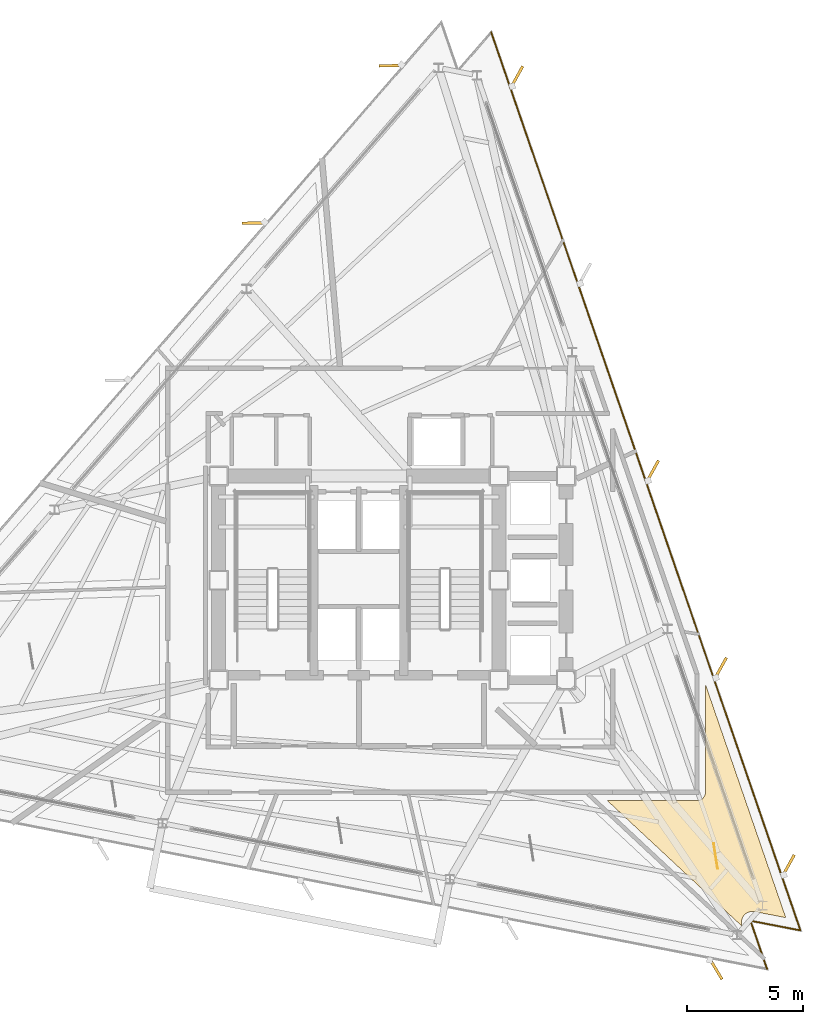
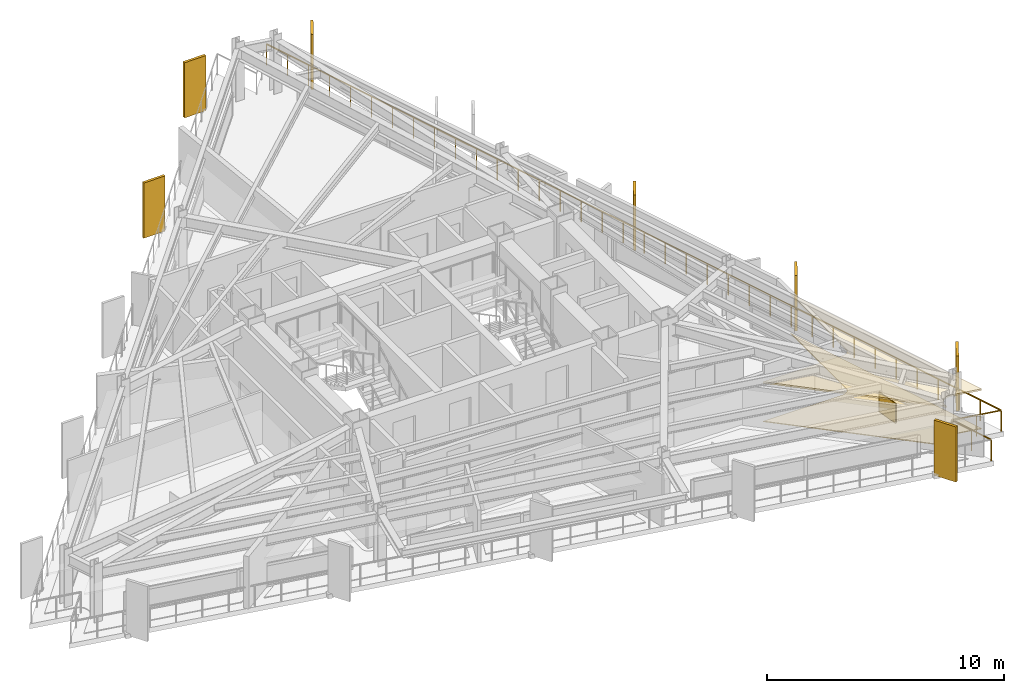
# One storey, part 14 of 14: 7 shading devices, 3 coverings, 1 railing.
"""IFC4 building model written with IfcOpenShell, lengths in metres."""

from ifc_helpers import new_model, si_unit, direction, frame, origin, origin_2d, place, context, subcontext, project, spatial, polyline, rectangle, outline, extrude, material, layer, layer_set, type_object, element, save


model = new_model("IFC4")

# Units and contexts
model_context = context("Model", 3, precision=1e-05, world=origin(), true_north=direction((0.0, 1.0)))
body_context = subcontext(model_context, "Body", "Model", "MODEL_VIEW")
ifc_project = project(units=[si_unit("LENGTHUNIT", "METRE"), si_unit("AREAUNIT", "SQUARE_METRE"), si_unit("VOLUMEUNIT", "CUBIC_METRE"), si_unit("PLANEANGLEUNIT", "RADIAN"), si_unit("MASSUNIT", "GRAM", prefix="KILO")], contexts=[model_context])

# Site, building, storey
site_placement = place(None, origin())
site = spatial("IfcSite", under=ifc_project, at=site_placement, CompositionType="ELEMENT")
building_placement = place(site_placement, origin())
building = spatial("IfcBuilding", under=site, at=building_placement, Name="Rocaltana Carrier Exchange", CompositionType="ELEMENT")
storey_placement = place(building_placement, frame((0.0, 0.0, 168.47998046875)))
storey = spatial("IfcBuildingStorey", under=building, at=storey_placement, Name="L53", CompositionType="ELEMENT", Elevation=168.47998046875)

# Coverings
ifc_material_1 = material(Name="Honed Bogota Sandstone Tile", Category="masonry")
ifc_layer_1 = layer(ifc_material_1, 0.0400390625)
ifc_layer_set_1 = layer_set([ifc_layer_1], Name="Honed Bogota Sandstone Tile")
covering_type_1 = type_object("IfcCoveringType", Name="Honed Stone Lobby Flooring 40", PredefinedType="FLOORING", material=ifc_layer_set_1)
covering_1_placement = place(storey_placement, origin())
element("IfcCovering", 1, at=covering_1_placement, inside=storey, type_object=covering_type_1, Name="L53 Carrier Peering Suite Finish Floor", PredefinedType="FLOORING", context=body_context, shape_type="SweptSolid", body=[
    extrude(outline(polyline([(14.9599609375, -4.48876953125), (18.4287109375, -14.562255859375), (17.085205078125, -14.301025390625), (17.0712890625, -14.298828125), (17.051513671875, -14.2958984375), (17.023681640625, -14.29345703125), (17.00390625, -14.29248046875), (16.975830078125, -14.292724609375), (16.9560546875, -14.2939453125), (16.92822265625, -14.296875), (16.90869140625, -14.300048828125), (16.88134765625, -14.305908203125), (16.862060546875, -14.310791015625), (16.83544921875, -14.319091796875), (16.816650390625, -14.326171875), (16.791015625, -14.337158203125), (16.773193359375, -14.345947265625), (16.748779296875, -14.359619140625), (16.731689453125, -14.3701171875), (16.708984375, -14.385986328125), (16.693115234375, -14.398193359375), (16.671875, -14.416259765625), (16.6572265625, -14.429931640625), (16.637939453125, -14.449951171875), (16.625, -14.465087890625), (16.607666015625, -14.487060546875), (16.59619140625, -14.50341796875), (16.581298828125, -14.52685546875), (16.5712890625, -14.544189453125), (16.558837890625, -14.569091796875), (16.55078125, -14.58740234375), (16.540771484375, -14.613525390625), (16.534423828125, -14.63232421875), (16.527099609375, -14.6591796875), (16.522705078125, -14.6787109375), (16.518310546875, -14.706298828125), (16.515869140625, -14.72607421875), (16.513916015625, -14.75390625), (16.513671875, -14.77392578125), (16.5146484375, -14.8017578125), (16.51611328125, -14.82177734375), (16.52001953125, -14.849365234375), (16.5234375, -14.868896484375), (16.52978515625, -14.89599609375), (16.535400390625, -14.915283203125), (16.539794921875, -14.9287109375), (16.541015625, -14.9326171875), (10.72607421875, -9.510009765625), (14.60009765625, -9.510009765625), (14.61376953125, -9.509765625), (14.62158203125, -9.50927734375), (14.64892578125, -9.506591796875), (14.65673828125, -9.50537109375), (14.68359375, -9.5), (14.69140625, -9.498291015625), (14.717529296875, -9.490234375), (14.724853515625, -9.487548828125), (14.750244140625, -9.47705078125), (14.75732421875, -9.4736328125), (14.78173828125, -9.460693359375), (14.788330078125, -9.456787109375), (14.811279296875, -9.44140625), (14.8173828125, -9.436767578125), (14.8388671875, -9.419189453125), (14.844482421875, -9.4140625), (14.864013671875, -9.39453125), (14.869384765625, -9.388916015625), (14.88671875, -9.367431640625), (14.891357421875, -9.361083984375), (14.90673828125, -9.33837890625), (14.91064453125, -9.331787109375), (14.923583984375, -9.307373046875), (14.927001953125, -9.30029296875), (14.9375, -9.27490234375), (14.940185546875, -9.267578125), (14.9482421875, -9.2412109375), (14.9501953125, -9.233642578125), (14.955322265625, -9.206787109375), (14.95654296875, -9.198974609375), (14.959228515625, -9.171630859375), (14.959716796875, -9.163818359375), (14.9599609375, -9.14990234375), (14.9599609375, -4.48876953125)])), origin(), (0.0, 0.0, 1.0), 0.0400390625),
])
ifc_material_2 = material(Name="Anodised Aluminium 6063-T6", Category="aluminium")
ifc_layer_2 = layer(ifc_material_2, 0.0849609375)
ifc_layer_set_2 = layer_set([ifc_layer_2], Name="Anodised Aluminium 6063-T6")
covering_type_2 = type_object("IfcCoveringType", Name="Linear Baffle Acoustic Ceiling 85", PredefinedType="CEILING", material=ifc_layer_set_2)
covering_2_placement = place(storey_placement, frame((0.0, 0.0, 1.98291015625)))
element("IfcCovering", 2, at=covering_2_placement, inside=storey, type_object=covering_type_2, Name="L53 Carrier Peering Suite Acoustic Ceiling", PredefinedType="CEILING", context=body_context, shape_type="SweptSolid", body=[
    extrude(outline(polyline([(14.9599609375, -4.48876953125), (18.4287109375, -14.562255859375), (17.085205078125, -14.301025390625), (17.0712890625, -14.298828125), (17.051513671875, -14.2958984375), (17.023681640625, -14.29345703125), (17.00390625, -14.29248046875), (16.975830078125, -14.292724609375), (16.9560546875, -14.2939453125), (16.92822265625, -14.296875), (16.90869140625, -14.300048828125), (16.88134765625, -14.305908203125), (16.862060546875, -14.310791015625), (16.83544921875, -14.319091796875), (16.816650390625, -14.326171875), (16.791015625, -14.337158203125), (16.773193359375, -14.345947265625), (16.748779296875, -14.359619140625), (16.731689453125, -14.3701171875), (16.708984375, -14.385986328125), (16.693115234375, -14.398193359375), (16.671875, -14.416259765625), (16.6572265625, -14.429931640625), (16.637939453125, -14.449951171875), (16.625, -14.465087890625), (16.607666015625, -14.487060546875), (16.59619140625, -14.50341796875), (16.581298828125, -14.52685546875), (16.5712890625, -14.544189453125), (16.558837890625, -14.569091796875), (16.55078125, -14.58740234375), (16.540771484375, -14.613525390625), (16.534423828125, -14.63232421875), (16.527099609375, -14.6591796875), (16.522705078125, -14.6787109375), (16.518310546875, -14.706298828125), (16.515869140625, -14.72607421875), (16.513916015625, -14.75390625), (16.513671875, -14.77392578125), (16.5146484375, -14.8017578125), (16.51611328125, -14.82177734375), (16.52001953125, -14.849365234375), (16.5234375, -14.868896484375), (16.52978515625, -14.89599609375), (16.535400390625, -14.915283203125), (16.539794921875, -14.9287109375), (16.541015625, -14.9326171875), (10.72607421875, -9.510009765625), (14.60009765625, -9.510009765625), (14.61376953125, -9.509765625), (14.62158203125, -9.50927734375), (14.64892578125, -9.506591796875), (14.65673828125, -9.50537109375), (14.68359375, -9.5), (14.69140625, -9.498291015625), (14.717529296875, -9.490234375), (14.724853515625, -9.487548828125), (14.750244140625, -9.47705078125), (14.75732421875, -9.4736328125), (14.78173828125, -9.460693359375), (14.788330078125, -9.456787109375), (14.811279296875, -9.44140625), (14.8173828125, -9.436767578125), (14.8388671875, -9.419189453125), (14.844482421875, -9.4140625), (14.864013671875, -9.39453125), (14.869384765625, -9.388916015625), (14.88671875, -9.367431640625), (14.891357421875, -9.361083984375), (14.90673828125, -9.33837890625), (14.91064453125, -9.331787109375), (14.923583984375, -9.307373046875), (14.927001953125, -9.30029296875), (14.9375, -9.27490234375), (14.940185546875, -9.267578125), (14.9482421875, -9.2412109375), (14.9501953125, -9.233642578125), (14.955322265625, -9.206787109375), (14.95654296875, -9.198974609375), (14.959228515625, -9.171630859375), (14.959716796875, -9.163818359375), (14.9599609375, -9.14990234375), (14.9599609375, -4.48876953125)])), origin(), (0.0, 0.0, 1.0), 0.085205078125),
])
ifc_material_3 = material(Name="Honed Piedra Muneca Sandstone", Category="masonry")
ifc_layer_3 = layer(ifc_material_3, 0.034912109375)
ifc_layer_set_3 = layer_set([ifc_layer_3], Name="Honed Piedra Muneca Sandstone")
covering_type_3 = type_object("IfcCoveringType", Name="Stone Facade Cladding 35", PredefinedType="CLADDING", material=ifc_layer_set_3)
covering_3_placement = place(storey_placement, frame((15.4013671875, -11.9013671875, 0.0), z_axis=(0.0, 0.0, 1.0), x_axis=(-0.15643446504, 0.987688340595, 0.0)))
element("IfcCovering", 3, at=covering_3_placement, inside=storey, type_object=covering_type_3, Name="L53 Stone Facade Cladding Panel 5", PredefinedType="CLADDING", context=body_context, shape_type="SweptSolid", body=[
    extrude(rectangle(XDim=1.10009765625, YDim=0.034912109375, at=origin_2d()), origin(), (0.0, 0.0, 1.0), 1.050048828125),
])

# Shading devices
ifc_material_4 = material(Name="Honed Bogota Sandstone & Concrete C45/55", Category="masonry")
ifc_layer_4 = layer(ifc_material_4, 0.1201171875)
ifc_layer_set_4 = layer_set([ifc_layer_4], Name="Honed Bogota Sandstone & Concrete C45/55")
shading_device_type = type_object("IfcShadingDeviceType", Name="Upper Sandstone Shading Fin 1050x120", PredefinedType="USERDEFINED", material=ifc_layer_set_4)
for number, where, z_axis, x_axis, name in (
    (4, (18.541748046875, -12.3095703125, -0.119873046875), (0.0, 0.0, 1.0), (0.484809620246, 0.874619707139, 0.0), "L53 Sandstone Vertical Fin F1-01"),
    (5, (15.61181640625, -3.7998046875, -0.119873046875), (0.0, 0.0, 1.0), (0.484809620246, 0.874619707139, 0.0), "L53 Sandstone Vertical Fin F1-02"),
    (6, (12.681396484375, 4.709716796875, -0.119873046875), (0.0, 0.0, 1.0), (0.484809620246, 0.874619707139, 0.0), "L53 Sandstone Vertical Fin F1-03"),
    (7, (6.8212890625, 21.729248046875, -0.119873046875), (0.0, 0.0, 1.0), (0.484809620246, 0.874619707139, 0.0), "L53 Sandstone Vertical Fin F1-05"),
    (8, (1.389404296875, 22.21240234375, -0.119873046875), (0.0, 0.0, 1.0), (-0.999847695156, -0.017452406437, 0.0), "L53 Sandstone Vertical Fin F2-01"),
    (9, (-4.51513671875, 15.419921875, -0.119873046875), (0.0, 0.0, 1.0), (-0.999847695156, -0.017452406437, 0.0), "L53 Sandstone Vertical Fin F2-02"),
    (10, (15.407470703125, -16.77197265625, -0.119873046875), (0.0, 0.0, 1.0), (0.51503807491, -0.857167300702, 0.0), "L53 Sandstone Vertical Fin F3-05"),
):
    element("IfcShadingDevice", number, at=place(storey_placement, frame(where, z_axis=z_axis, x_axis=x_axis)), inside=storey, type_object=shading_device_type, Name=name, ObjectType="FIN", PredefinedType="USERDEFINED", context=body_context, shape_type="SweptSolid", body=[
        extrude(rectangle(XDim=1.050048828125, YDim=0.1201171875, at=origin_2d()), origin(), (0.0, 0.0, 1.0), 2.837890625),
    ])

# Railing
ifc_material_5 = material(Name="Powder-Coated Aluminium 6063-T6", Category="aluminium")
ifc_layer_5 = layer(ifc_material_5, 0.06005859375)
ifc_layer_set_5 = layer_set([ifc_layer_5], Name="Powder-Coated Aluminium 6063-T6")
railing_type = type_object("IfcRailingType", Name="Wind-Floor & Terrace Perimeter Guardrail 1100", PredefinedType="GUARDRAIL", material=ifc_layer_set_5)
railing_placement = place(storey_placement, frame((5.716796875, 23.6455078125, 0.0)))
element("IfcRailing", 11, at=railing_placement, inside=storey, type_object=railing_type, Name="L53 Perimeter Balcony Guardrail 3", PredefinedType="GUARDRAIL", context=body_context, shape_type="SweptSolid", body=[
    extrude(rectangle(XDim=0.048095703125, YDim=0.048095703125, at=origin_2d()), frame((0.0, 0.0, 1.076171875), z_axis=(0.325567757379, -0.945518712324, 0.0), x_axis=(0.945518712324, 0.325567757379, 0.0)), (0.0, 0.0, 1.0), 40.9921875),
    extrude(rectangle(XDim=0.048095703125, YDim=0.048095703125, at=origin_2d()), frame((13.345703125, -38.7587890625, 1.076171875), z_axis=(-0.981637329589, 0.190756790591, 0.0), x_axis=(-0.190756790591, -0.981637329589, 0.0)), (0.0, 0.0, 1.0), 2.199951171875),
    extrude(rectangle(XDim=0.048095703125, YDim=0.048095703125, at=origin_2d()), frame((11.18603515625, -38.339111328125, 1.076171875), z_axis=(0.325600768791, -0.945507344955, 0.0), x_axis=(0.945507344955, 0.325600768791, 0.0)), (0.0, 0.0, 1.0), 2.199951171875),
    extrude(rectangle(XDim=0.0419921875, YDim=0.0419921875, at=origin_2d()), origin(), (0.0, 0.0, 1.0), 1.052001953125),
    extrude(rectangle(XDim=0.0419921875, YDim=0.0419921875, at=origin_2d()), frame((0.38134765625, -1.107421875, 0.0)), (0.0, 0.0, 1.0), 1.052001953125),
    extrude(rectangle(XDim=0.0419921875, YDim=0.0419921875, at=origin_2d()), frame((0.7626953125, -2.21484375, 0.0)), (0.0, 0.0, 1.0), 1.052001953125),
    extrude(rectangle(XDim=0.0419921875, YDim=0.0419921875, at=origin_2d()), frame((1.143798828125, -3.322265625, 0.0)), (0.0, 0.0, 1.0), 1.052001953125),
    extrude(rectangle(XDim=0.0419921875, YDim=0.0419921875, at=origin_2d()), frame((1.525146484375, -4.4296875, 0.0)), (0.0, 0.0, 1.0), 1.052001953125),
    extrude(rectangle(XDim=0.0419921875, YDim=0.0419921875, at=origin_2d()), frame((1.906494140625, -5.536865234375, 0.0)), (0.0, 0.0, 1.0), 1.052001953125),
    extrude(rectangle(XDim=0.0419921875, YDim=0.0419921875, at=origin_2d()), frame((2.287841796875, -6.644287109375, 0.0)), (0.0, 0.0, 1.0), 1.052001953125),
    extrude(rectangle(XDim=0.0419921875, YDim=0.0419921875, at=origin_2d()), frame((2.669189453125, -7.751708984375, 0.0)), (0.0, 0.0, 1.0), 1.052001953125),
    extrude(rectangle(XDim=0.0419921875, YDim=0.0419921875, at=origin_2d()), frame((3.050537109375, -8.859130859375, 0.0)), (0.0, 0.0, 1.0), 1.052001953125),
    extrude(rectangle(XDim=0.0419921875, YDim=0.0419921875, at=origin_2d()), frame((3.431640625, -9.966552734375, 0.0)), (0.0, 0.0, 1.0), 1.052001953125),
    extrude(rectangle(XDim=0.0419921875, YDim=0.0419921875, at=origin_2d()), frame((3.81298828125, -11.073974609375, 0.0)), (0.0, 0.0, 1.0), 1.052001953125),
    extrude(rectangle(XDim=0.0419921875, YDim=0.0419921875, at=origin_2d()), frame((4.1943359375, -12.181396484375, 0.0)), (0.0, 0.0, 1.0), 1.052001953125),
    extrude(rectangle(XDim=0.0419921875, YDim=0.0419921875, at=origin_2d()), frame((4.57568359375, -13.288818359375, 0.0)), (0.0, 0.0, 1.0), 1.052001953125),
    extrude(rectangle(XDim=0.0419921875, YDim=0.0419921875, at=origin_2d()), frame((4.95703125, -14.396240234375, 0.0)), (0.0, 0.0, 1.0), 1.052001953125),
    extrude(rectangle(XDim=0.0419921875, YDim=0.0419921875, at=origin_2d()), frame((5.33837890625, -15.50341796875, 0.0)), (0.0, 0.0, 1.0), 1.052001953125),
    extrude(rectangle(XDim=0.0419921875, YDim=0.0419921875, at=origin_2d()), frame((5.719482421875, -16.61083984375, 0.0)), (0.0, 0.0, 1.0), 1.052001953125),
    extrude(rectangle(XDim=0.0419921875, YDim=0.0419921875, at=origin_2d()), frame((6.100830078125, -17.71826171875, 0.0)), (0.0, 0.0, 1.0), 1.052001953125),
    extrude(rectangle(XDim=0.0419921875, YDim=0.0419921875, at=origin_2d()), frame((6.482177734375, -18.82568359375, 0.0)), (0.0, 0.0, 1.0), 1.052001953125),
    extrude(rectangle(XDim=0.0419921875, YDim=0.0419921875, at=origin_2d()), frame((6.863525390625, -19.93310546875, 0.0)), (0.0, 0.0, 1.0), 1.052001953125),
    extrude(rectangle(XDim=0.0419921875, YDim=0.0419921875, at=origin_2d()), frame((7.244873046875, -21.04052734375, 0.0)), (0.0, 0.0, 1.0), 1.052001953125),
    extrude(rectangle(XDim=0.0419921875, YDim=0.0419921875, at=origin_2d()), frame((7.626220703125, -22.14794921875, 0.0)), (0.0, 0.0, 1.0), 1.052001953125),
    extrude(rectangle(XDim=0.0419921875, YDim=0.0419921875, at=origin_2d()), frame((8.00732421875, -23.25537109375, 0.0)), (0.0, 0.0, 1.0), 1.052001953125),
    extrude(rectangle(XDim=0.0419921875, YDim=0.0419921875, at=origin_2d()), frame((8.388671875, -24.362548828125, 0.0)), (0.0, 0.0, 1.0), 1.052001953125),
    extrude(rectangle(XDim=0.0419921875, YDim=0.0419921875, at=origin_2d()), frame((8.77001953125, -25.469970703125, 0.0)), (0.0, 0.0, 1.0), 1.052001953125),
    extrude(rectangle(XDim=0.0419921875, YDim=0.0419921875, at=origin_2d()), frame((9.1513671875, -26.577392578125, 0.0)), (0.0, 0.0, 1.0), 1.052001953125),
    extrude(rectangle(XDim=0.0419921875, YDim=0.0419921875, at=origin_2d()), frame((9.53271484375, -27.684814453125, 0.0)), (0.0, 0.0, 1.0), 1.052001953125),
    extrude(rectangle(XDim=0.0419921875, YDim=0.0419921875, at=origin_2d()), frame((9.9140625, -28.792236328125, 0.0)), (0.0, 0.0, 1.0), 1.052001953125),
    extrude(rectangle(XDim=0.0419921875, YDim=0.0419921875, at=origin_2d()), frame((10.295166015625, -29.899658203125, 0.0)), (0.0, 0.0, 1.0), 1.052001953125),
    extrude(rectangle(XDim=0.0419921875, YDim=0.0419921875, at=origin_2d()), frame((10.676513671875, -31.007080078125, 0.0)), (0.0, 0.0, 1.0), 1.052001953125),
    extrude(rectangle(XDim=0.0419921875, YDim=0.0419921875, at=origin_2d()), frame((11.057861328125, -32.114501953125, 0.0)), (0.0, 0.0, 1.0), 1.052001953125),
    extrude(rectangle(XDim=0.0419921875, YDim=0.0419921875, at=origin_2d()), frame((11.439208984375, -33.221923828125, 0.0)), (0.0, 0.0, 1.0), 1.052001953125),
    extrude(rectangle(XDim=0.0419921875, YDim=0.0419921875, at=origin_2d()), frame((11.820556640625, -34.3291015625, 0.0)), (0.0, 0.0, 1.0), 1.052001953125),
    extrude(rectangle(XDim=0.0419921875, YDim=0.0419921875, at=origin_2d()), frame((12.201904296875, -35.4365234375, 0.0)), (0.0, 0.0, 1.0), 1.052001953125),
    extrude(rectangle(XDim=0.0419921875, YDim=0.0419921875, at=origin_2d()), frame((12.5830078125, -36.5439453125, 0.0)), (0.0, 0.0, 1.0), 1.052001953125),
    extrude(rectangle(XDim=0.0419921875, YDim=0.0419921875, at=origin_2d()), frame((12.96435546875, -37.6513671875, 0.0)), (0.0, 0.0, 1.0), 1.052001953125),
    extrude(rectangle(XDim=0.0419921875, YDim=0.0419921875, at=origin_2d()), frame((13.345703125, -38.7587890625, 0.0)), (0.0, 0.0, 1.0), 1.052001953125),
    extrude(rectangle(XDim=0.0419921875, YDim=0.0419921875, at=origin_2d()), frame((12.265869140625, -38.548828125, 0.0)), (0.0, 0.0, 1.0), 1.052001953125),
    extrude(rectangle(XDim=0.0419921875, YDim=0.0419921875, at=origin_2d()), frame((11.18603515625, -38.339111328125, 0.0)), (0.0, 0.0, 1.0), 1.052001953125),
    extrude(rectangle(XDim=0.0419921875, YDim=0.0419921875, at=origin_2d()), frame((11.544189453125, -39.379150390625, 0.0)), (0.0, 0.0, 1.0), 1.052001953125),
    extrude(rectangle(XDim=0.0419921875, YDim=0.0419921875, at=origin_2d()), frame((11.90234375, -40.419189453125, 0.0)), (0.0, 0.0, 1.0), 1.052001953125),
])

save(model, "model.ifc")
